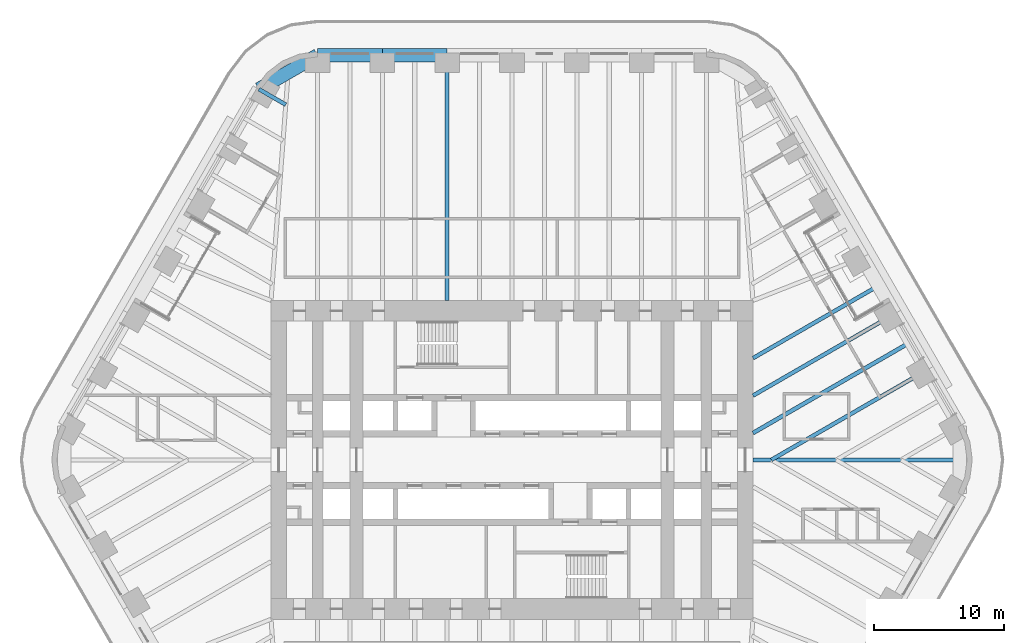
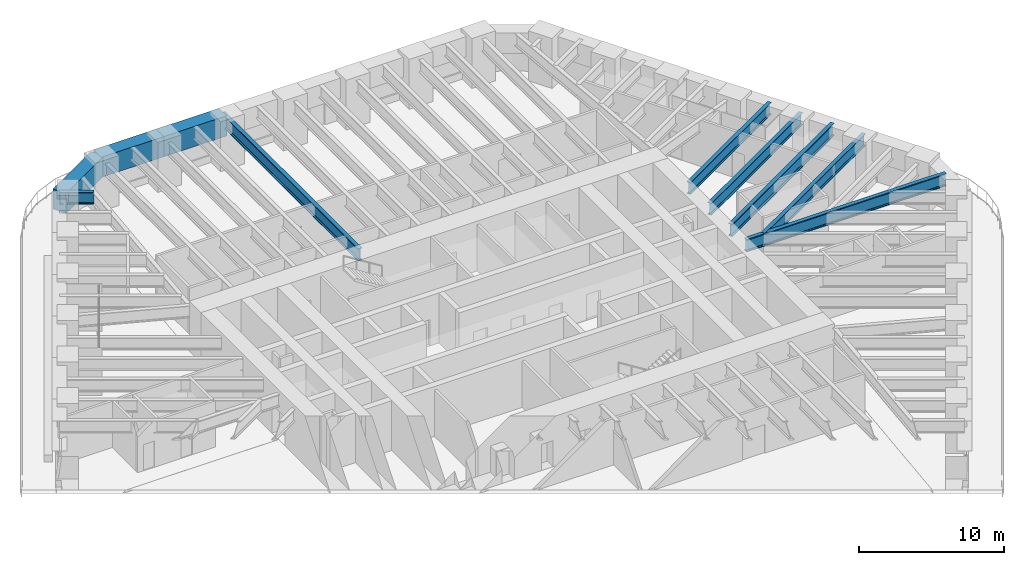
# One storey, part 7 of 19: 10 beams.
"""IFC4 building model written with IfcOpenShell, lengths in metres."""

from ifc_helpers import new_model, si_unit, direction, frame, origin, origin_2d, place, context, subcontext, project, spatial, rectangle, i_section, extrude, material, material_profile, profile_set, type_object, element, save


model = new_model("IFC4")

# Units and contexts
model_context = context("Model", 3, precision=1e-05, world=origin(), true_north=direction((0.0, 1.0)))
body_context = subcontext(model_context, "Body", "Model", "MODEL_VIEW")
ifc_project = project(units=[si_unit("LENGTHUNIT", "METRE"), si_unit("AREAUNIT", "SQUARE_METRE"), si_unit("VOLUMEUNIT", "CUBIC_METRE"), si_unit("PLANEANGLEUNIT", "RADIAN"), si_unit("MASSUNIT", "GRAM", prefix="KILO")], contexts=[model_context])

# Site, building, storey
site_placement = place(None, origin())
site = spatial("IfcSite", under=ifc_project, at=site_placement, CompositionType="ELEMENT")
building_placement = place(site_placement, origin())
building = spatial("IfcBuilding", under=site, at=building_placement, Name="Tarfa Lantern Tower", CompositionType="ELEMENT")
storey_placement = place(building_placement, frame((0.0, 0.0, 199.300048828125)))
storey = spatial("IfcBuildingStorey", under=building, at=storey_placement, Name="L45", CompositionType="ELEMENT", Elevation=199.300048828125)

# Beams
ifc_material_1 = material(Name="Concrete C80/95", Category="concrete")
ifc_material_profile_1 = material_profile(ifc_material_1, rectangle(XDim=1.050048828125, YDim=1.699951171875, at=origin_2d()), Name="RC 1050x1700")
ifc_profile_set_1 = profile_set([ifc_material_profile_1], Name="Concrete C80/95")
beam_type_1 = type_object("IfcBeamType", Name="RB2 RC 1050x1700", PredefinedType="BEAM", material=ifc_profile_set_1)
for number, where, z_axis, x_axis, name in (
    (1, (-5.003662109375, 31.219970703125, 3.050048828125), (-1.0, 0.0, 0.0), (0.0, -1.0, 0.0), "Edge beam N4"),
    (2, (-10.00732421875, 31.219970703125, 3.050048828125), (-1.0, 0.0, 0.0), (0.0, -1.0, 0.0), "Edge beam N5"),
):
    element("IfcBeam", number, at=place(storey_placement, frame(where, z_axis=z_axis, x_axis=x_axis)), inside=storey, type_object=beam_type_1, Name=name, PredefinedType="BEAM", context=body_context, shape_type="SweptSolid", body=[
        extrude(rectangle(XDim=1.050048828125, YDim=1.699951171875, at=origin_2d()), origin(), (0.0, 0.0, 1.0), 5.003662109375),
    ])
beam_1_placement = place(storey_placement, frame((-15.010986328125, 31.219970703125, 3.050048828125), z_axis=(-0.86604150238, -0.499972115377, 0.0), x_axis=(0.499972115377, -0.86604150238, 0.0)))
element("IfcBeam", 3, at=beam_1_placement, inside=storey, type_object=beam_type_1, Name="Edge beam N6", PredefinedType="BEAM", context=body_context, shape_type="SweptSolid", body=[
    extrude(rectangle(XDim=1.050048828125, YDim=1.699951171875, at=origin_2d()), origin(), (0.0, 0.0, 1.0), 5.219970703125),
])
ifc_material_2 = material(Name="Steel S460M", Category="steel")
ifc_material_profile_2 = material_profile(ifc_material_2, i_section(OverallWidth=0.302001953125, OverallDepth=1.008056640625, WebThickness=0.02099609375, FlangeThickness=0.0400390625, FilletRadius=0.030029296875, at=origin_2d()), Name="UB1016x305x349")
ifc_profile_set_2 = profile_set([ifc_material_profile_2], Name="Steel S460M")
beam_type_2 = type_object("IfcBeamType", Name="UB1016x305x349", PredefinedType="BEAM", material=ifc_profile_set_2)
beam_2_placement = place(storey_placement, frame((32.041015625, 6.943359375, 3.39599609375), z_axis=(-0.866023096411, -0.500003996466, 0.0), x_axis=(0.500003996466, -0.866023096411, 0.0)))
element("IfcBeam", 4, at=beam_2_placement, inside=storey, type_object=beam_type_2, Name="Floor beam NE1", PredefinedType="BEAM", context=body_context, shape_type="SweptSolid", body=[
    extrude(i_section(OverallWidth=0.302001953125, OverallDepth=1.008056640625, WebThickness=0.02099609375, FlangeThickness=0.0400390625, FilletRadius=0.030029296875, at=origin_2d()), origin(), (0.0, 0.0, 1.0), 13.88671875),
])
beam_3_placement = place(storey_placement, frame((29.5390625, 11.276611328125, 3.39599609375), z_axis=(-0.866023362995, -0.500003534735, 0.0), x_axis=(0.500003534735, -0.866023362995, 0.0)))
element("IfcBeam", 5, at=beam_3_placement, inside=storey, type_object=beam_type_2, Name="Floor beam NE2", PredefinedType="BEAM", context=body_context, shape_type="SweptSolid", body=[
    extrude(i_section(OverallWidth=0.302001953125, OverallDepth=1.008056640625, WebThickness=0.02099609375, FlangeThickness=0.0400390625, FilletRadius=0.030029296875, at=origin_2d()), origin(), (0.0, 0.0, 1.0), 12.63134765625),
])
beam_4_placement = place(storey_placement, frame((-19.53173828125, 28.610107421875, 3.39599609375), z_axis=(0.865998640954, -0.500046351717, 0.0), x_axis=(0.500046351717, 0.865998640954, 0.0)))
element("IfcBeam", 6, at=beam_4_placement, inside=storey, type_object=beam_type_2, Name="Floor beam NW0", PredefinedType="BEAM", context=body_context, shape_type="SweptSolid", body=[
    extrude(i_section(OverallWidth=0.302001953125, OverallDepth=1.008056640625, WebThickness=0.02099609375, FlangeThickness=0.0400390625, FilletRadius=0.030029296875, at=origin_2d()), origin(), (0.0, 0.0, 1.0), 2.392333984375),
])
beam_5_placement = place(storey_placement, frame((28.288330078125, 13.443359375, 3.39599609375), z_axis=(-0.866025316205, -0.500000151692, 0.0), x_axis=(0.500000151692, -0.866025316205, 0.0)))
element("IfcBeam", 7, at=beam_5_placement, inside=storey, type_object=beam_type_2, Name="Floor beam NE2M", PredefinedType="BEAM", context=body_context, shape_type="SweptSolid", body=[
    extrude(i_section(OverallWidth=0.302001953125, OverallDepth=1.008056640625, WebThickness=0.02099609375, FlangeThickness=0.0400390625, FilletRadius=0.030029296875, at=origin_2d()), origin(), (0.0, 0.0, 1.0), 11.18701171875),
])
ifc_material_profile_3 = material_profile(ifc_material_2, i_section(OverallWidth=0.314208984375, OverallDepth=1.055908203125, WebThickness=0.035888671875, FlangeThickness=0.06396484375, FilletRadius=0.030029296875, at=origin_2d()), Name="UB1016x305x584")
ifc_profile_set_3 = profile_set([ifc_material_profile_3], Name="Steel S460M")
beam_type_3 = type_object("IfcBeamType", Name="UB1016x305x584", PredefinedType="BEAM", material=ifc_profile_set_3)
beam_6_placement = place(storey_placement, frame((18.60009765625, 0.0, 3.3720703125), z_axis=(1.0, 0.0, 0.0), x_axis=(0.0, 1.0, 0.0)))
element("IfcBeam", 8, at=beam_6_placement, inside=storey, type_object=beam_type_3, Name="Hip girder E", PredefinedType="BEAM", context=body_context, shape_type="SweptSolid", body=[
    extrude(i_section(OverallWidth=0.314208984375, OverallDepth=1.055908203125, WebThickness=0.035888671875, FlangeThickness=0.06396484375, FilletRadius=0.030029296875, at=origin_2d()), origin(), (0.0, 0.0, 1.0), 15.94287109375),
])
beam_7_placement = place(storey_placement, frame((-5.003662109375, 31.219970703125, 3.3720703125), z_axis=(0.0, -1.0, 0.0), x_axis=(1.0, 0.0, 0.0)))
element("IfcBeam", 9, at=beam_7_placement, inside=storey, type_object=beam_type_3, Name="Floor beam N4", PredefinedType="BEAM", context=body_context, shape_type="SweptSolid", body=[
    extrude(i_section(OverallWidth=0.314208984375, OverallDepth=1.055908203125, WebThickness=0.035888671875, FlangeThickness=0.06396484375, FilletRadius=0.030029296875, at=origin_2d()), origin(), (0.0, 0.0, 1.0), 18.919921875),
])
beam_8_placement = place(storey_placement, frame((30.7900390625, 9.110107421875, 3.3720703125), z_axis=(-0.866018636338, -0.500011721377, 0.0), x_axis=(0.500011721377, -0.866018636338, 0.0)))
element("IfcBeam", 10, at=beam_8_placement, inside=storey, type_object=beam_type_3, Name="Floor beam NE1M", PredefinedType="BEAM", context=body_context, shape_type="SweptSolid", body=[
    extrude(i_section(OverallWidth=0.314208984375, OverallDepth=1.055908203125, WebThickness=0.035888671875, FlangeThickness=0.06396484375, FilletRadius=0.030029296875, at=origin_2d()), origin(), (0.0, 0.0, 1.0), 14.075927734375),
])

save(model, "model.ifc")
